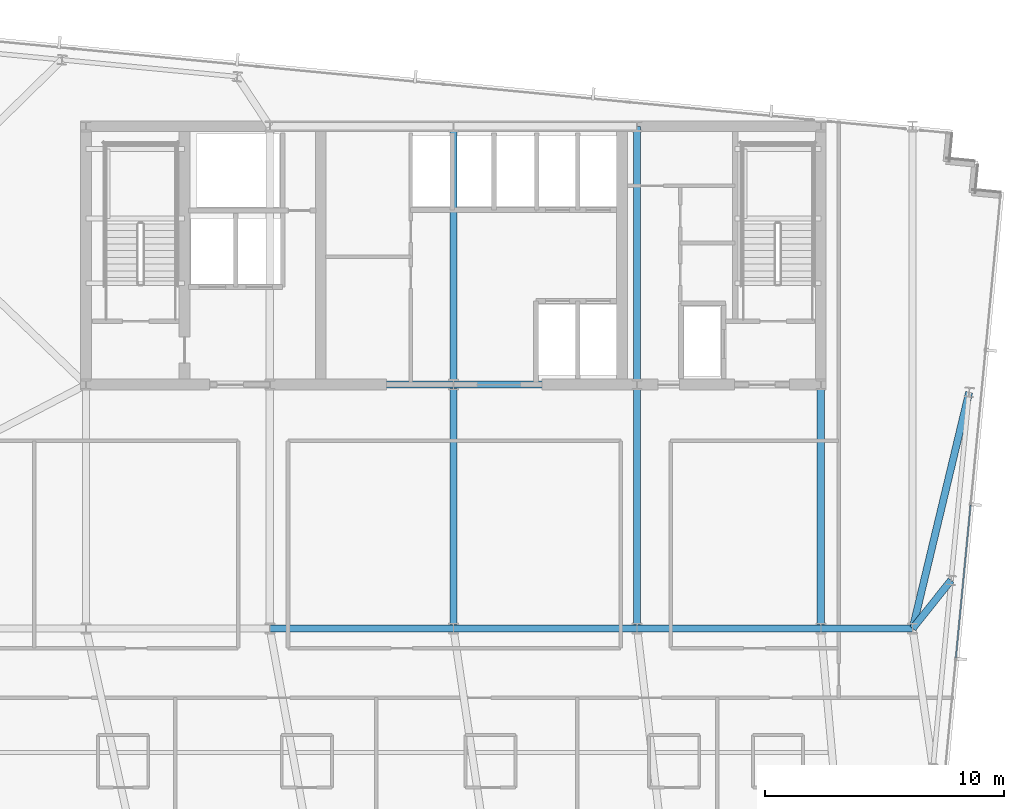
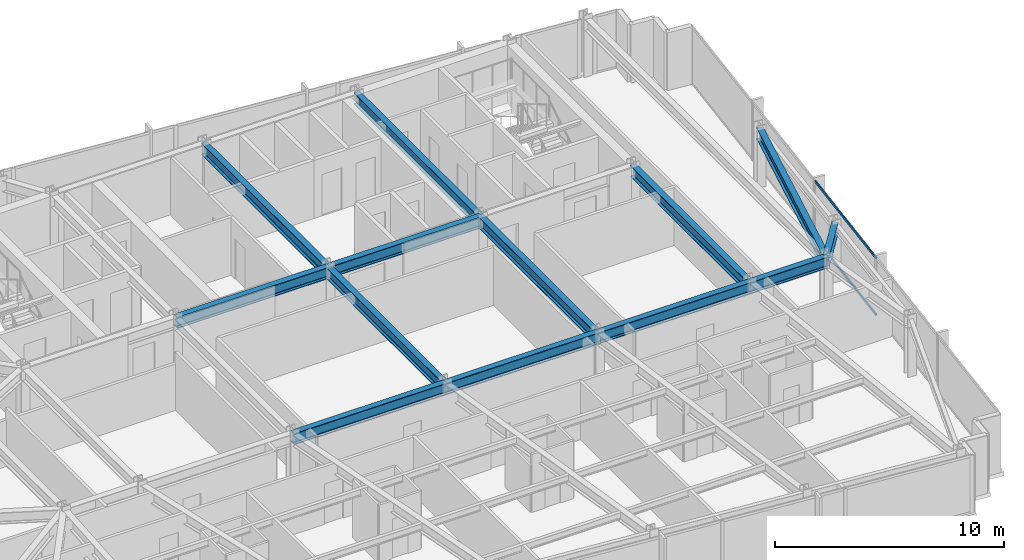
# One storey, part 17 of 37: 13 beams, 2 members, 1 element without a shape of its own.
"""IFC4 building model written with IfcOpenShell, lengths in metres."""

import ifcopenshell
import ifcopenshell.guid

model = None  # the IFC model being written
_history = None  # IfcOwnerHistory: only IFC2X3 demands one
_inside = {}  # id of a spatial element -> (the spatial element, [elements in it])
_under = {}  # id of a project, library or spatial element -> (it, [spatial elements below it])
_declared = {}  # id of a project -> (the project, [libraries it declares])
_typed = {}  # id of a type object -> (the type object, [elements of that type])
_made_of = {}  # id of a material, layer set ... -> (it, [elements and type objects made of it])


def new_model(schema):
    """Start an empty IFC model of exactly this schema.

    Asked for "IFC4X3", IfcOpenShell would pick the latest addendum, in which some entities
    have other attributes; the version numbers below select the first issue.
    IFC2X3 requires an IfcOwnerHistory on every rooted entity: one is made here for all.
    """
    global model, _history
    if schema == "IFC4X3":
        model = ifcopenshell.file(schema_version=(4, 3, 0, 0))
    else:
        model = ifcopenshell.file(schema=schema)
    _inside.clear()
    _under.clear()
    _declared.clear()
    _typed.clear()
    _made_of.clear()
    _history = None
    if model.schema == "IFC2X3":
        org = make("IfcOrganization", Name="unknown")
        user = make(
            "IfcPersonAndOrganization",
            ThePerson=make("IfcPerson", FamilyName="unknown"),
            TheOrganization=org,
        )
        app = make(
            "IfcApplication",
            ApplicationDeveloper=org,
            Version="unknown",
            ApplicationFullName="unknown",
            ApplicationIdentifier="unknown",
        )
        _history = make(
            "IfcOwnerHistory",
            OwningUser=user,
            OwningApplication=app,
            ChangeAction="ADDED",
            CreationDate=0,
        )
    return model


def make(cls, **values):
    """One entity of the class cls with the attributes given. An attribute that is None is left unset."""
    return model.create_entity(
        cls, **{name: value for name, value in values.items() if value is not None}
    )


def rooted(cls, **values):
    """An entity with a GlobalId (a new one), such as an element, a storey or a relation."""
    return make(cls, GlobalId=ifcopenshell.guid.new(), OwnerHistory=_history, **values)


def si_unit(unit_type, name, prefix=None):
    """IfcSIUnit, for example si_unit("LENGTHUNIT", "METRE", prefix="MILLI")."""
    return make("IfcSIUnit", UnitType=unit_type, Prefix=prefix, Name=name)


def assignment(units):
    """IfcUnitAssignment: the units of a project."""
    return None if units is None else make("IfcUnitAssignment", Units=units)


def point(xyz):
    """IfcCartesianPoint."""
    return None if xyz is None else make("IfcCartesianPoint", Coordinates=xyz)


def direction(xyz):
    """IfcDirection."""
    return None if xyz is None else make("IfcDirection", DirectionRatios=xyz)


def frame(location, z_axis=None, x_axis=None):
    """IfcAxis2Placement3D, a coordinate frame: its origin and axes. An axis left out is left unset."""
    return make(
        "IfcAxis2Placement3D",
        Location=point(location),
        Axis=direction(z_axis),
        RefDirection=direction(x_axis),
    )


def frame_2d(location, x_axis=None):
    """IfcAxis2Placement2D, a coordinate frame in the plane: its origin and x axis."""
    return make(
        "IfcAxis2Placement2D", Location=point(location), RefDirection=direction(x_axis)
    )


def origin():
    """The frame at (0, 0, 0) with its axes left unset."""
    return frame((0.0, 0.0, 0.0))


def origin_2d():
    """The frame at (0, 0) in the plane with its x axis left unset."""
    return frame_2d((0.0, 0.0))


def place(relative_to, where):
    """IfcLocalPlacement: puts the frame where relative to a parent placement (None: the world)."""
    return make(
        "IfcLocalPlacement", PlacementRelTo=relative_to, RelativePlacement=where
    )


def context(
    kind, dimensions, precision=None, world=None, true_north=None, identifier=None
):
    """IfcGeometricRepresentationContext, for example the 3D "Model" context."""
    return make(
        "IfcGeometricRepresentationContext",
        ContextIdentifier=identifier,
        ContextType=kind,
        CoordinateSpaceDimension=dimensions,
        Precision=precision,
        WorldCoordinateSystem=world,
        TrueNorth=true_north,
    )


def subcontext(parent, identifier, kind, view, scale=None):
    """IfcGeometricRepresentationSubContext, for example "Body" below "Model"."""
    return make(
        "IfcGeometricRepresentationSubContext",
        ContextIdentifier=identifier,
        ContextType=kind,
        ParentContext=parent,
        TargetScale=scale,
        TargetView=view,
    )


def project(units=None, contexts=None):
    """IfcProject with its units and contexts."""
    return rooted(
        "IfcProject",
        Name="project",
        RepresentationContexts=contexts,
        UnitsInContext=assignment(units),
    )


def spatial(cls, under=None, at=None, **own):
    """A site, building, storey or space (cls), placed at a placement, below another one or the project."""
    s = rooted(cls, ObjectPlacement=at, **own)
    if under is not None:
        _under.setdefault(under.id(), (under, []))[1].append(s)
    return s


def profile(cls, at=None, kind="AREA", **sizes):
    """A parametric profile (cls). Its sizes go by their IFC names, for example OverallWidth=200.0."""
    return make(cls, ProfileType=kind, Position=at, **sizes)


def hollow_rectangle(**sizes):
    """IfcRectangleHollowProfileDef."""
    return profile("IfcRectangleHollowProfileDef", **sizes)


def i_section(**sizes):
    """IfcIShapeProfileDef."""
    return profile("IfcIShapeProfileDef", **sizes)


def extrude(swept, where, along, depth):
    """IfcExtrudedAreaSolid: the profile swept, set in the frame where, extruded along a direction by depth."""
    return make(
        "IfcExtrudedAreaSolid",
        SweptArea=swept,
        Position=where,
        ExtrudedDirection=direction(along),
        Depth=depth,
    )


def shape(context_of_items, identifier, shape_type, items):
    """IfcShapeRepresentation: the items that make up one representation, for example the "Body"."""
    return make(
        "IfcShapeRepresentation",
        ContextOfItems=context_of_items,
        RepresentationIdentifier=identifier,
        RepresentationType=shape_type,
        Items=items,
    )


def material(Name=None, Category=None):
    """IfcMaterial."""
    return make("IfcMaterial", Name=Name, Category=Category)


def material_profile(
    of_material, cross_section, Name=None, Category=None, Priority=None
):
    """IfcMaterialProfile: a cross section and its material."""
    return make(
        "IfcMaterialProfile",
        Name=Name,
        Material=of_material,
        Profile=cross_section,
        Priority=Priority,
        Category=Category,
    )


def profile_set(profiles, Name=None, composite=None):
    """IfcMaterialProfileSet."""
    return make(
        "IfcMaterialProfileSet",
        Name=Name,
        MaterialProfiles=profiles,
        CompositeProfile=composite,
    )


def made_of(thing, what):
    """Note that an element or type object is made of a material, layer set ...; save() writes the relation."""
    if what is not None:
        _made_of.setdefault(what.id(), (what, []))[1].append(thing)
    return thing


def type_object(cls, material=None, **own):
    """A type object (cls), such as IfcWallType, which elements share."""
    return made_of(rooted(cls, **own), material)


def element(
    cls,
    number,
    at=None,
    inside=None,
    cuts=None,
    type_object=None,
    material=None,
    context=None,
    identifier="Body",
    shape_type=None,
    held_by="IfcProductDefinitionShape",
    body=None,
    shapes=None,
    **own,
):
    """One element of the class cls, such as IfcWall. Its Tag is "e" and its number.

    at: its placement. inside: the storey or other place that contains it. cuts: it is an
    opening in that element (IfcRelVoidsElement). A single representation is given by context,
    identifier, shape_type and body (its items); several are given by shapes. held_by: the class
    of the entity that holds the representations. save() writes the other relations.
    """
    e = rooted(cls, Tag="e%d" % number, ObjectPlacement=at, **own)
    if body is not None:
        shapes = [shape(context, identifier, shape_type, body)]
    if shapes is not None:
        e.Representation = make(held_by, Representations=shapes)
    if inside is not None:
        _inside.setdefault(inside.id(), (inside, []))[1].append(e)
    if cuts is not None:
        rooted(
            "IfcRelVoidsElement", RelatingBuildingElement=cuts, RelatedOpeningElement=e
        )
    if type_object is not None:
        _typed.setdefault(type_object.id(), (type_object, []))[1].append(e)
    return made_of(e, material)


def aggregate(whole, parts):
    """IfcRelAggregates: a whole, such as a stair, and the parts it consists of."""
    return rooted("IfcRelAggregates", RelatingObject=whole, RelatedObjects=parts)


def save(model, path):
    """Write the relations noted so far, then the file.

    IfcRelAggregates (storeys below a building ...), IfcRelContainedInSpatialStructure (elements
    in a storey), IfcRelDefinesByType, IfcRelAssociatesMaterial and IfcRelDeclares: one each for
    every whole, place, type object, material and project.
    """
    for whole, parts in _under.values():
        aggregate(whole, parts)
    for where, things in _inside.values():
        rooted(
            "IfcRelContainedInSpatialStructure",
            RelatedElements=things,
            RelatingStructure=where,
        )
    for kind, things in _typed.values():
        rooted("IfcRelDefinesByType", RelatedObjects=things, RelatingType=kind)
    for what, things in _made_of.values():
        rooted("IfcRelAssociatesMaterial", RelatedObjects=things, RelatingMaterial=what)
    for by, libraries in _declared.values():
        rooted("IfcRelDeclares", RelatingContext=by, RelatedDefinitions=libraries)
    model.write(path)


model = new_model("IFC4")

# Units and contexts
model_context = context("Model", 3, precision=1e-05, world=origin(), true_north=direction((0.0, 1.0)))
body_context = subcontext(model_context, "Body", "Model", "MODEL_VIEW")
ifc_project = project(units=[si_unit("LENGTHUNIT", "METRE"), si_unit("AREAUNIT", "SQUARE_METRE"), si_unit("VOLUMEUNIT", "CUBIC_METRE"), si_unit("PLANEANGLEUNIT", "RADIAN"), si_unit("MASSUNIT", "GRAM", prefix="KILO")], contexts=[model_context])

# Site, building, storey
site_placement = place(None, origin())
site = spatial("IfcSite", under=ifc_project, at=site_placement, CompositionType="ELEMENT")
building_placement = place(site_placement, origin())
building = spatial("IfcBuilding", under=site, at=building_placement, Name="Yelkora Congress Tower", CompositionType="ELEMENT")
storey_placement = place(building_placement, frame((0.0, 0.0, 168.800048828125)))
storey = spatial("IfcBuildingStorey", under=building, at=storey_placement, Name="L46", CompositionType="ELEMENT", Elevation=168.800048828125)

# Beams
ifc_material_1 = material(Name="Steel S355J2", Category="steel")
ifc_material_profile_1 = material_profile(ifc_material_1, i_section(OverallWidth=0.300048828125, OverallDepth=0.60009765625, WebThickness=0.015380859375, FlangeThickness=0.030029296875, FilletRadius=0.027099609375, at=origin_2d()), Name="HEB 600")
ifc_profile_set_1 = profile_set([ifc_material_profile_1], Name="Steel S355J2")
beam_type = type_object("IfcBeamType", Name="BM-GIRD-HEB600", PredefinedType="BEAM", material=ifc_profile_set_1)
beam_1_placement = place(storey_placement, frame((30.719970703125, 25.199951171875, 2.780029296875), z_axis=(1.0, 0.0, 0.0), x_axis=(0.0, 1.0, 0.0)))
element("IfcBeam", 1, at=beam_1_placement, inside=storey, type_object=beam_type, Name="L46 Spine Grid D Girder 3", PredefinedType="BEAM", context=body_context, shape_type="SweptSolid", body=[
    extrude(i_section(OverallWidth=0.300048828125, OverallDepth=0.60009765625, WebThickness=0.015380859375, FlangeThickness=0.030029296875, FilletRadius=0.027099609375, at=origin_2d()), origin(), (0.0, 0.0, 1.0), 7.679931640625),
])
beam_2_placement = place(storey_placement, frame((38.39990234375, 25.199951171875, 2.780029296875), z_axis=(1.0, 0.0, 0.0), x_axis=(0.0, 1.0, 0.0)))
element("IfcBeam", 2, at=beam_2_placement, inside=storey, type_object=beam_type, Name="L46 Spine Grid D Girder 4", PredefinedType="BEAM", context=body_context, shape_type="SweptSolid", body=[
    extrude(i_section(OverallWidth=0.300048828125, OverallDepth=0.60009765625, WebThickness=0.015380859375, FlangeThickness=0.030029296875, FilletRadius=0.027099609375, at=origin_2d()), origin(), (0.0, 0.0, 1.0), 7.68017578125),
])
beam_3_placement = place(storey_placement, frame((46.080078125, 25.199951171875, 2.780029296875), z_axis=(1.0, 0.0, 0.0), x_axis=(0.0, 1.0, 0.0)))
element("IfcBeam", 3, at=beam_3_placement, inside=storey, type_object=beam_type, Name="L46 Spine Grid D Girder 5", PredefinedType="BEAM", context=body_context, shape_type="SweptSolid", body=[
    extrude(i_section(OverallWidth=0.300048828125, OverallDepth=0.60009765625, WebThickness=0.015380859375, FlangeThickness=0.030029296875, FilletRadius=0.027099609375, at=origin_2d()), origin(), (0.0, 0.0, 1.0), 7.679931640625),
])
beam_4_placement = place(storey_placement, frame((53.760009765625, 25.199951171875, 2.780029296875), z_axis=(1.0, 0.0, 0.0), x_axis=(0.0, 1.0, 0.0)))
element("IfcBeam", 4, at=beam_4_placement, inside=storey, type_object=beam_type, Name="L46 Spine Grid D Girder 6", PredefinedType="BEAM", context=body_context, shape_type="SweptSolid", body=[
    extrude(i_section(OverallWidth=0.300048828125, OverallDepth=0.60009765625, WebThickness=0.015380859375, FlangeThickness=0.030029296875, FilletRadius=0.027099609375, at=origin_2d()), origin(), (0.0, 0.0, 1.0), 3.840087890625),
])
beam_5_placement = place(storey_placement, frame((30.719970703125, 35.39990234375, 2.780029296875), z_axis=(1.0, 0.0, 0.0), x_axis=(0.0, 1.0, 0.0)))
element("IfcBeam", 5, at=beam_5_placement, inside=storey, type_object=beam_type, Name="L46 Core South Girder 2", PredefinedType="BEAM", context=body_context, shape_type="SweptSolid", body=[
    extrude(i_section(OverallWidth=0.300048828125, OverallDepth=0.60009765625, WebThickness=0.015380859375, FlangeThickness=0.030029296875, FilletRadius=0.027099609375, at=origin_2d()), origin(), (0.0, 0.0, 1.0), 7.679931640625),
])
beam_6_placement = place(storey_placement, frame((38.39990234375, 35.39990234375, 2.780029296875), z_axis=(1.0, 0.0, 0.0), x_axis=(0.0, 1.0, 0.0)))
element("IfcBeam", 6, at=beam_6_placement, inside=storey, type_object=beam_type, Name="L46 Core South Girder 3", PredefinedType="BEAM", context=body_context, shape_type="SweptSolid", body=[
    extrude(i_section(OverallWidth=0.300048828125, OverallDepth=0.60009765625, WebThickness=0.015380859375, FlangeThickness=0.030029296875, FilletRadius=0.027099609375, at=origin_2d()), origin(), (0.0, 0.0, 1.0), 7.68017578125),
])
beam_7_placement = place(storey_placement, frame((38.39990234375, 25.199951171875, 2.780029296875), z_axis=(0.0, 1.0, 0.0), x_axis=(-1.0, 0.0, 0.0)))
element("IfcBeam", 7, at=beam_7_placement, inside=storey, type_object=beam_type, Name="L46 Core Tie Girder MC-D3", PredefinedType="BEAM", context=body_context, shape_type="SweptSolid", body=[
    extrude(i_section(OverallWidth=0.300048828125, OverallDepth=0.60009765625, WebThickness=0.015380859375, FlangeThickness=0.030029296875, FilletRadius=0.027099609375, at=origin_2d()), origin(), (0.0, 0.0, 1.0), 10.199951171875),
])
beam_8_placement = place(storey_placement, frame((38.39990234375, 35.39990234375, 2.780029296875), z_axis=(0.0, 1.0, 0.0), x_axis=(-1.0, 0.0, 0.0)))
element("IfcBeam", 8, at=beam_8_placement, inside=storey, type_object=beam_type, Name="L46 Core Tie Girder MC-S3", PredefinedType="BEAM", context=body_context, shape_type="SweptSolid", body=[
    extrude(i_section(OverallWidth=0.300048828125, OverallDepth=0.60009765625, WebThickness=0.015380859375, FlangeThickness=0.030029296875, FilletRadius=0.027099609375, at=origin_2d()), origin(), (0.0, 0.0, 1.0), 10.800048828125),
])
beam_9_placement = place(storey_placement, frame((46.080078125, 25.199951171875, 2.780029296875), z_axis=(0.0, 1.0, 0.0), x_axis=(-1.0, 0.0, 0.0)))
element("IfcBeam", 9, at=beam_9_placement, inside=storey, type_object=beam_type, Name="L46 Core Tie Girder MC-D4", PredefinedType="BEAM", context=body_context, shape_type="SweptSolid", body=[
    extrude(i_section(OverallWidth=0.300048828125, OverallDepth=0.60009765625, WebThickness=0.015380859375, FlangeThickness=0.030029296875, FilletRadius=0.027099609375, at=origin_2d()), origin(), (0.0, 0.0, 1.0), 10.199951171875),
])
beam_10_placement = place(storey_placement, frame((46.080078125, 35.39990234375, 2.780029296875), z_axis=(0.0, 1.0, 0.0), x_axis=(-1.0, 0.0, 0.0)))
element("IfcBeam", 10, at=beam_10_placement, inside=storey, type_object=beam_type, Name="L46 Core Tie Girder MC-S4", PredefinedType="BEAM", context=body_context, shape_type="SweptSolid", body=[
    extrude(i_section(OverallWidth=0.300048828125, OverallDepth=0.60009765625, WebThickness=0.015380859375, FlangeThickness=0.030029296875, FilletRadius=0.027099609375, at=origin_2d()), origin(), (0.0, 0.0, 1.0), 10.800048828125),
])
beam_11_placement = place(storey_placement, frame((53.760009765625, 25.199951171875, 2.780029296875), z_axis=(0.0, 1.0, 0.0), x_axis=(-1.0, 0.0, 0.0)))
element("IfcBeam", 11, at=beam_11_placement, inside=storey, type_object=beam_type, Name="L46 Core Tie Girder MC-D5", PredefinedType="BEAM", context=body_context, shape_type="SweptSolid", body=[
    extrude(i_section(OverallWidth=0.300048828125, OverallDepth=0.60009765625, WebThickness=0.015380859375, FlangeThickness=0.030029296875, FilletRadius=0.027099609375, at=origin_2d()), origin(), (0.0, 0.0, 1.0), 10.199951171875),
])
beam_12_placement = place(storey_placement, frame((59.206298828125, 27.217529296875, 2.780029296875), z_axis=(-0.622834511353, -0.782353610248, 0.0), x_axis=(0.782353610248, -0.622834511353, 0.0)))
element("IfcBeam", 12, at=beam_12_placement, inside=storey, type_object=beam_type, Name="L46 Primary Frame Girder E02", PredefinedType="BEAM", context=body_context, shape_type="SweptSolid", body=[
    extrude(i_section(OverallWidth=0.300048828125, OverallDepth=0.60009765625, WebThickness=0.015380859375, FlangeThickness=0.030029296875, FilletRadius=0.027099609375, at=origin_2d()), origin(), (0.0, 0.0, 1.0), 2.578857421875),
])
beam_13_placement = place(storey_placement, frame((59.96337890625, 35.0810546875, 2.780029296875), z_axis=(-0.23261126158, -0.972569792347, 0.0), x_axis=(0.972569792347, -0.23261126158, 0.0)))
element("IfcBeam", 13, at=beam_13_placement, inside=storey, type_object=beam_type, Name="L46 Primary Frame Girder E03", PredefinedType="BEAM", context=body_context, shape_type="SweptSolid", body=[
    extrude(i_section(OverallWidth=0.300048828125, OverallDepth=0.60009765625, WebThickness=0.015380859375, FlangeThickness=0.030029296875, FilletRadius=0.027099609375, at=origin_2d()), origin(), (0.0, 0.0, 1.0), 10.15966796875),
])

# Curtain wall, members
ifc_material_2 = material(Name="Anodised aluminium and insulated glass", Category="aluminium")
curtain_wall_type = type_object("IfcCurtainWallType", Name="CW-SYS-B3", PredefinedType="NOTDEFINED", material=ifc_material_2)
curtain_wall_placement = place(storey_placement, origin())
curtain_wall = element("IfcCurtainWall", 14, at=curtain_wall_placement, inside=storey, type_object=curtain_wall_type, Name="L46 Unitised Curtain Wall 15", PredefinedType="NOTDEFINED")
ifc_material_3 = material(Name="Anodised aluminium 6063-T6", Category="aluminium")
ifc_material_profile_2 = material_profile(ifc_material_3, hollow_rectangle(XDim=0.06005859375, YDim=0.1298828125, WallThickness=0.00390625, at=origin_2d()), Name="ALU 60x130x4")
ifc_profile_set_2 = profile_set([ifc_material_profile_2], Name="Anodised aluminium 6063-T6")
member_type = type_object("IfcMemberType", Name="MEM-TR-B3", PredefinedType="USERDEFINED", material=ifc_profile_set_2)
member_1_placement = place(storey_placement, frame((60.021484375, 30.36083984375, 0.030029296875), z_axis=(-0.095843682057, -0.995396397728, 0.0), x_axis=(0.995396397728, -0.095843682057, 0.0)))
member_1 = element("IfcMember", 15, at=member_1_placement, type_object=member_type, Name="CW-B3 transom 3.1", ObjectType="TRANSOM", PredefinedType="USERDEFINED", context=body_context, shape_type="SweptSolid", body=[
    extrude(hollow_rectangle(XDim=0.06005859375, YDim=0.1298828125, WallThickness=0.00390625, at=origin_2d()), origin(), (0.0, 0.0, 1.0), 6.4140625),
])
member_2_placement = place(storey_placement, frame((60.021484375, 30.36083984375, 3.050048828125), z_axis=(-0.095843682057, -0.995396397728, 0.0), x_axis=(0.995396397728, -0.095843682057, 0.0)))
member_2 = element("IfcMember", 16, at=member_2_placement, type_object=member_type, Name="CW-B3 transom 3.2", ObjectType="TRANSOM", PredefinedType="USERDEFINED", context=body_context, shape_type="SweptSolid", body=[
    extrude(hollow_rectangle(XDim=0.06005859375, YDim=0.1298828125, WallThickness=0.00390625, at=origin_2d()), origin(), (0.0, 0.0, 1.0), 6.4140625),
])
aggregate(curtain_wall, [member_1, member_2])

save(model, "model.ifc")
